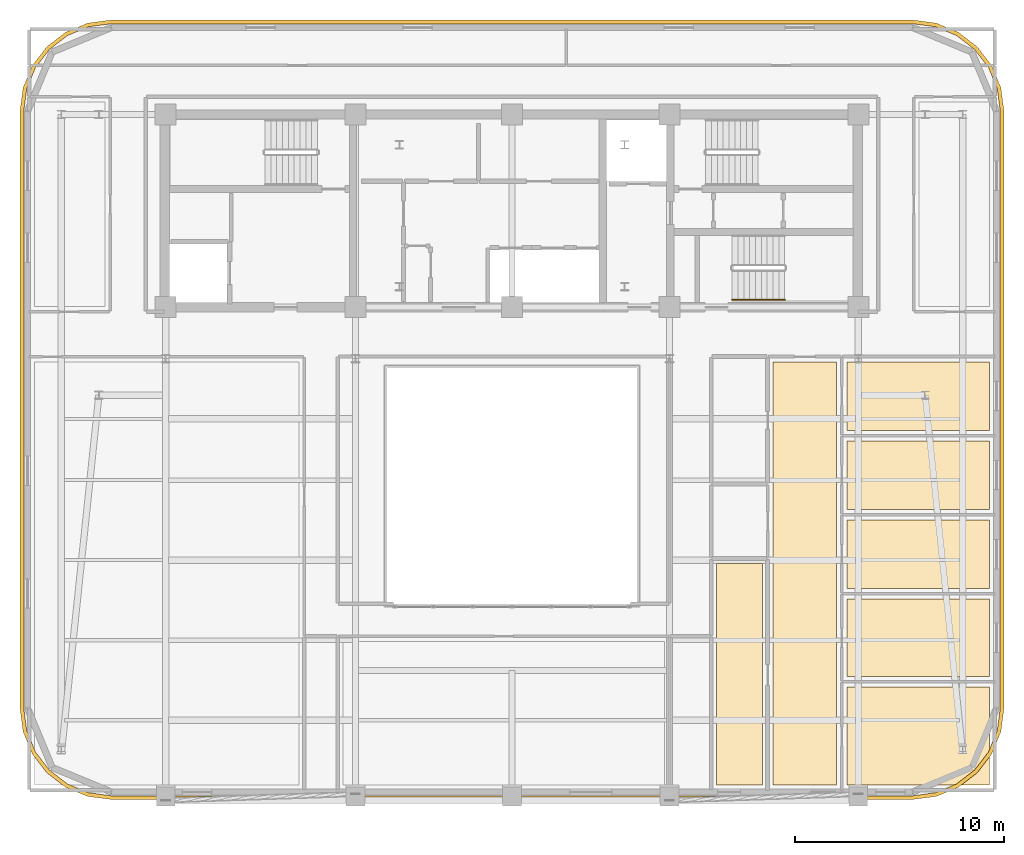
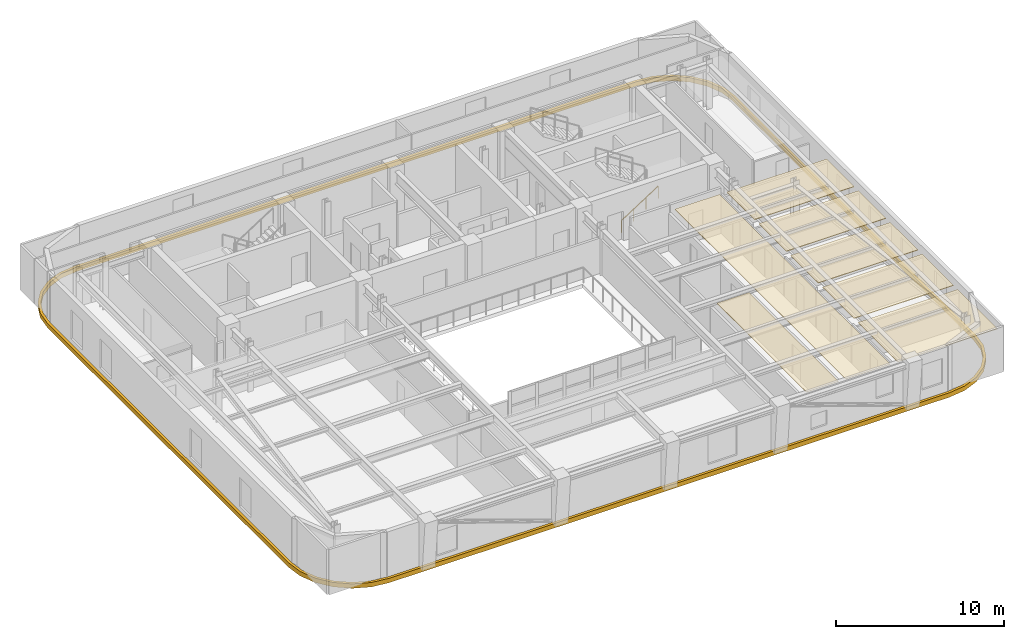
# One storey, part 12 of 13: 8 coverings, 1 railing.
"""IFC4 building model written with IfcOpenShell, lengths in metres."""

from ifc_helpers import new_model, si_unit, direction, frame, origin, origin_2d, place, context, subcontext, project, spatial, polyline, rectangle, outline, extrude, material, layer, layer_set, type_object, element, save


model = new_model("IFC4")

# Units and contexts
model_context = context("Model", 3, precision=1e-05, world=origin(), true_north=direction((0.0, 1.0)))
body_context = subcontext(model_context, "Body", "Model", "MODEL_VIEW")
ifc_project = project(units=[si_unit("LENGTHUNIT", "METRE"), si_unit("AREAUNIT", "SQUARE_METRE"), si_unit("VOLUMEUNIT", "CUBIC_METRE"), si_unit("PLANEANGLEUNIT", "RADIAN"), si_unit("MASSUNIT", "GRAM", prefix="KILO")], contexts=[model_context])

# Site, building, storey
site_placement = place(None, origin())
site = spatial("IfcSite", under=ifc_project, at=site_placement, CompositionType="ELEMENT")
building_placement = place(site_placement, origin())
building = spatial("IfcBuilding", under=site, at=building_placement, Name="Zarnavel Station Tower", CompositionType="ELEMENT")
storey_placement = place(building_placement, frame((0.0, 0.0, 240.0)))
storey = spatial("IfcBuildingStorey", under=building, at=storey_placement, Name="L65", CompositionType="ELEMENT", Elevation=240.0)

# Coverings
ifc_material_1 = material(Name="Perforated Gypsum and Mineral-Wool Acoustic Ceiling", Category="concrete")
ifc_layer = layer(ifc_material_1, 0.0400390625)
ifc_layer_set = layer_set([ifc_layer], Name="COV_CEIL_ACOUSTIC")
covering_type_1 = type_object("IfcCoveringType", Name="COV_CEIL_ACOUSTIC", PredefinedType="CEILING", material=ifc_layer_set)
covering_1_placement = place(storey_placement, frame((0.0, 0.0, 2.9599609375)))
element("IfcCovering", 1, at=covering_1_placement, inside=storey, type_object=covering_type_1, Name="L65 UE1LV Acoustic Ceiling", PredefinedType="CEILING", context=body_context, shape_type="SweptSolid", body=[
    extrude(outline(polyline([(41.300048828125, 4.909912109375), (44.35888671875, 4.909912109375), (44.35888671875, 25.199951171875), (41.300048828125, 25.199951171875), (41.300048828125, 4.909912109375)])), origin(), (0.0, 0.0, 1.0), 0.0400390625),
])
covering_2_placement = place(storey_placement, frame((0.0, 0.0, 2.9599609375)))
element("IfcCovering", 2, at=covering_2_placement, inside=storey, type_object=covering_type_1, Name="L65 UE1KT Acoustic Ceiling", PredefinedType="CEILING", context=body_context, shape_type="SweptSolid", body=[
    extrude(outline(polyline([(38.60009765625, 4.909912109375), (40.800048828125, 4.909912109375), (40.800048828125, 15.52099609375), (38.60009765625, 15.52099609375), (38.60009765625, 4.909912109375)])), origin(), (0.0, 0.0, 1.0), 0.0400390625),
])
covering_3_placement = place(storey_placement, frame((0.0, 0.0, 2.9599609375)))
element("IfcCovering", 3, at=covering_3_placement, inside=storey, type_object=covering_type_1, Name="L65 UE1B1 Acoustic Ceiling", PredefinedType="CEILING", context=body_context, shape_type="SweptSolid", body=[
    extrude(outline(polyline([(44.85888671875, 4.909912109375), (51.68994140625, 4.909912109375), (51.68994140625, 9.60693359375), (44.85888671875, 9.60693359375), (44.85888671875, 4.909912109375)])), origin(), (0.0, 0.0, 1.0), 0.0400390625),
])
covering_4_placement = place(storey_placement, frame((0.0, 0.0, 2.9599609375)))
element("IfcCovering", 4, at=covering_4_placement, inside=storey, type_object=covering_type_1, Name="L65 UE1B2 Acoustic Ceiling", PredefinedType="CEILING", context=body_context, shape_type="SweptSolid", body=[
    extrude(outline(polyline([(44.85888671875, 10.10693359375), (51.68994140625, 10.10693359375), (51.68994140625, 13.8349609375), (44.85888671875, 13.8349609375), (44.85888671875, 10.10693359375)])), origin(), (0.0, 0.0, 1.0), 0.0400390625),
])
covering_5_placement = place(storey_placement, frame((0.0, 0.0, 2.9599609375)))
element("IfcCovering", 5, at=covering_5_placement, inside=storey, type_object=covering_type_1, Name="L65 UE1B3 Acoustic Ceiling", PredefinedType="CEILING", context=body_context, shape_type="SweptSolid", body=[
    extrude(outline(polyline([(44.85888671875, 14.3349609375), (51.68994140625, 14.3349609375), (51.68994140625, 17.623046875), (44.85888671875, 17.623046875), (44.85888671875, 14.3349609375)])), origin(), (0.0, 0.0, 1.0), 0.0400390625),
])
covering_6_placement = place(storey_placement, frame((0.0, 0.0, 2.9599609375)))
element("IfcCovering", 6, at=covering_6_placement, inside=storey, type_object=covering_type_1, Name="L65 UE1B4 Acoustic Ceiling", PredefinedType="CEILING", context=body_context, shape_type="SweptSolid", body=[
    extrude(outline(polyline([(44.85888671875, 18.123046875), (51.68994140625, 18.123046875), (51.68994140625, 21.410888671875), (44.85888671875, 21.410888671875), (44.85888671875, 18.123046875)])), origin(), (0.0, 0.0, 1.0), 0.0400390625),
])
covering_7_placement = place(storey_placement, frame((0.0, 0.0, 2.9599609375)))
element("IfcCovering", 7, at=covering_7_placement, inside=storey, type_object=covering_type_1, Name="L65 UE1B5 Acoustic Ceiling", PredefinedType="CEILING", context=body_context, shape_type="SweptSolid", body=[
    extrude(outline(polyline([(44.85888671875, 21.910888671875), (51.68994140625, 21.910888671875), (51.68994140625, 25.199951171875), (44.85888671875, 25.199951171875), (44.85888671875, 21.910888671875)])), origin(), (0.0, 0.0, 1.0), 0.0400390625),
])
ifc_material_2 = material(Name="Precast concrete C45/55 (Pale Travertine Slab Band)", Category="masonry")
covering_type_2 = type_object("IfcCoveringType", Name="COV_TRAVERTINE_BAND", PredefinedType="CLADDING", material=ifc_material_2)
covering_8_placement = place(storey_placement, frame((0.0, 0.0, -0.260009765625)))
element("IfcCovering", 8, at=covering_8_placement, inside=storey, type_object=covering_type_2, Name="L65 Pale Travertine Slab-Edge Band", PredefinedType="CLADDING", context=body_context, shape_type="SweptSolid", body=[
    extrude(outline(polyline([(48.0, 4.219970703125), (49.133544921875, 4.369140625), (50.18994140625, 4.806884765625), (51.09716796875, 5.5029296875), (51.793212890625, 6.409912109375), (52.230712890625, 7.46630859375), (52.3798828125, 8.60009765625), (52.3798828125, 37.199951171875), (52.230712890625, 38.33349609375), (51.793212890625, 39.389892578125), (51.09716796875, 40.297119140625), (50.18994140625, 40.9931640625), (49.133544921875, 41.430908203125), (48.0, 41.580078125), (9.60009765625, 41.580078125), (8.46630859375, 41.430908203125), (7.409912109375, 40.9931640625), (6.5029296875, 40.297119140625), (5.806884765625, 39.389892578125), (5.369140625, 38.33349609375), (5.219970703125, 37.199951171875), (5.219970703125, 8.60009765625), (5.369140625, 7.46630859375), (5.806884765625, 6.409912109375), (6.5029296875, 5.5029296875), (7.409912109375, 4.806884765625), (8.46630859375, 4.369140625), (9.60009765625, 4.219970703125), (48.0, 4.219970703125)]), holes=[polyline([(48.0, 4.39990234375), (49.0869140625, 4.543212890625), (50.10009765625, 4.962646484375), (50.9697265625, 5.630126953125), (51.63720703125, 6.5), (52.056884765625, 7.512939453125), (52.199951171875, 8.60009765625), (52.199951171875, 37.199951171875), (52.056884765625, 38.287109375), (51.63720703125, 39.300048828125), (50.9697265625, 40.169921875), (50.10009765625, 40.83740234375), (49.0869140625, 41.2568359375), (48.0, 41.39990234375), (9.60009765625, 41.39990234375), (8.512939453125, 41.2568359375), (7.5, 40.83740234375), (6.630126953125, 40.169921875), (5.962646484375, 39.300048828125), (5.543212890625, 38.287109375), (5.39990234375, 37.199951171875), (5.39990234375, 8.60009765625), (5.543212890625, 7.512939453125), (5.962646484375, 6.5), (6.630126953125, 5.630126953125), (7.5, 4.962646484375), (8.512939453125, 4.543212890625), (9.60009765625, 4.39990234375), (48.0, 4.39990234375)])]), origin(), (0.0, 0.0, 1.0), 0.320068359375),
])

# Railing
ifc_material_3 = material(Name="Brushed Stainless Steel S355J2 Handrail", Category="steel")
railing_type = type_object("IfcRailingType", Name="HR_STAIR_900", PredefinedType="HANDRAIL", material=ifc_material_3)
railing_placement = place(storey_placement, frame((39.35009765625, 28.169921875, 0.179931640625)))
element("IfcRailing", 9, at=railing_placement, inside=storey, type_object=railing_type, Name="L65 ST3 stair handrail 1", PredefinedType="HANDRAIL", context=body_context, shape_type="SweptSolid", body=[
    extrude(rectangle(XDim=0.048095703125, YDim=0.048095703125, at=origin_2d()), frame((0.001708984375, 0.0, 0.876953125), z_axis=(0.841162588446, 0.0, 0.540782303519), x_axis=(0.0, 1.0, 0.0)), (0.0, 0.0, 1.0), 2.991943359375),
    extrude(rectangle(XDim=0.0419921875, YDim=0.0419921875, at=origin_2d()), origin(), (0.0, 0.0, 1.0), 0.851806640625),
    extrude(rectangle(XDim=0.0419921875, YDim=0.0419921875, at=origin_2d()), frame((0.840087890625, 0.0, 0.5400390625)), (0.0, 0.0, 1.0), 0.851806640625),
    extrude(rectangle(XDim=0.0419921875, YDim=0.0419921875, at=origin_2d()), frame((1.679931640625, 0.0, 1.080078125)), (0.0, 0.0, 1.0), 0.851806640625),
    extrude(rectangle(XDim=0.0419921875, YDim=0.0419921875, at=origin_2d()), frame((2.52001953125, 0.0, 1.6201171875)), (0.0, 0.0, 1.0), 0.851806640625),
])

save(model, "model.ifc")
